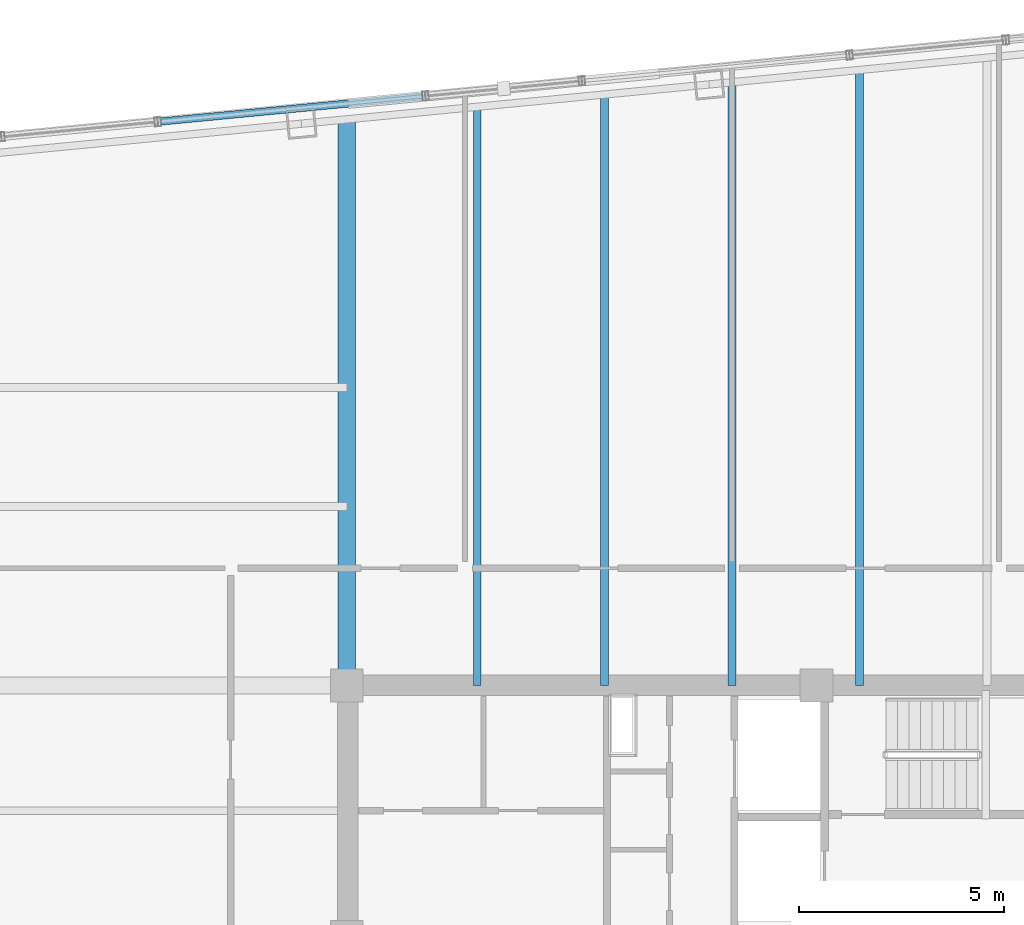
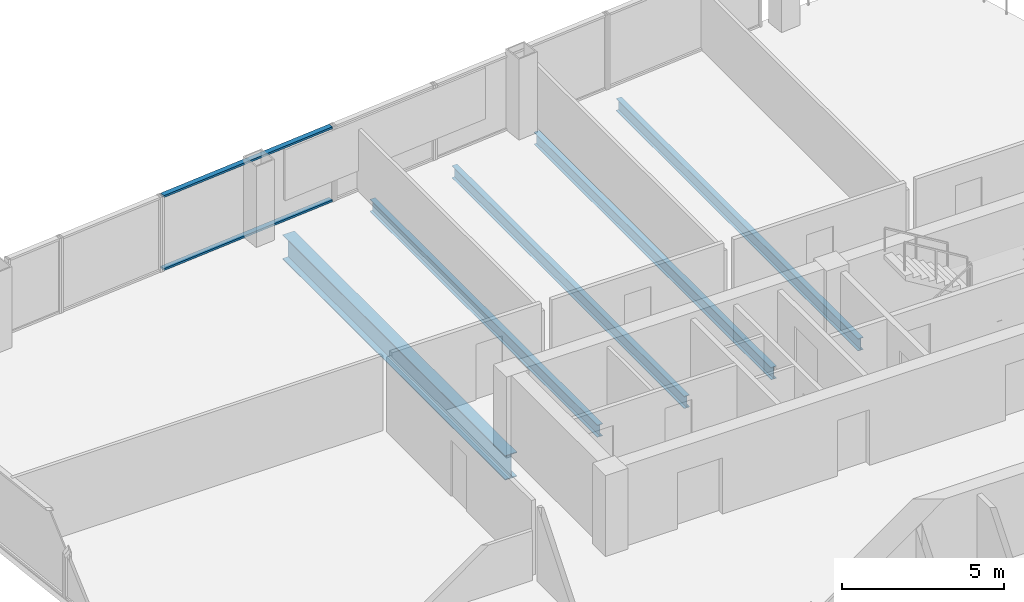
# One storey, part 13 of 22: 5 beams, 2 members, 1 element without a shape of its own.
"""IFC4 building model written with IfcOpenShell, lengths in metres."""

from ifc_helpers import new_model, si_unit, direction, frame, origin, origin_2d, place, context, subcontext, project, spatial, hollow_rectangle, i_section, extrude, material, layer, layer_set, material_profile, profile_set, type_object, element, aggregate, save


model = new_model("IFC4")

# Units and contexts
model_context = context("Model", 3, precision=1e-05, world=origin(), true_north=direction((0.0, 1.0)))
body_context = subcontext(model_context, "Body", "Model", "MODEL_VIEW")
ifc_project = project(units=[si_unit("LENGTHUNIT", "METRE"), si_unit("AREAUNIT", "SQUARE_METRE"), si_unit("VOLUMEUNIT", "CUBIC_METRE"), si_unit("PLANEANGLEUNIT", "RADIAN"), si_unit("MASSUNIT", "GRAM", prefix="KILO")], contexts=[model_context])

# Site, building, storey
site_placement = place(None, origin())
site = spatial("IfcSite", under=ifc_project, at=site_placement, CompositionType="ELEMENT")
building_placement = place(site_placement, origin())
building = spatial("IfcBuilding", under=site, at=building_placement, Name="Qhalaya Broadcast Tower", CompositionType="ELEMENT")
storey_placement = place(building_placement, frame((0.0, 0.0, 174.449951171875)))
storey = spatial("IfcBuildingStorey", under=building, at=storey_placement, Name="L51", CompositionType="ELEMENT", Elevation=174.449951171875)

# Beams
ifc_material_1 = material(Name="Structural Steel ASTM A992 Grade 50", Category="steel")
ifc_material_profile_1 = material_profile(ifc_material_1, i_section(OverallWidth=0.19189453125, OverallDepth=0.462890625, WebThickness=0.010498046875, FlangeThickness=0.017578125, at=origin_2d()), Name="W18X60")
ifc_profile_set_1 = profile_set([ifc_material_profile_1], Name="Structural Steel ASTM A992 Grade 50")
beam_type_1 = type_object("IfcBeamType", Name="Composite Floor Joist J03", PredefinedType="JOIST", material=ifc_profile_set_1)
beam_1_placement = place(storey_placement, frame((-6.199951171875, 9.949951171875, -0.451416015625), z_axis=(0.0, 1.0, 0.0), x_axis=(-1.0, 0.0, 0.0)))
element("IfcBeam", 1, at=beam_1_placement, inside=storey, type_object=beam_type_1, Name="L51 J03 L51-JNN1-1", PredefinedType="JOIST", context=body_context, shape_type="SweptSolid", body=[
    extrude(i_section(OverallWidth=0.19189453125, OverallDepth=0.462890625, WebThickness=0.010498046875, FlangeThickness=0.017578125, at=origin_2d()), origin(), (0.0, 0.0, 1.0), 14.059326171875),
])
beam_2_placement = place(storey_placement, frame((-3.10009765625, 9.949951171875, -0.451416015625), z_axis=(0.0, 1.0, 0.0), x_axis=(-1.0, 0.0, 0.0)))
element("IfcBeam", 2, at=beam_2_placement, inside=storey, type_object=beam_type_1, Name="L51 J03 L51-JNN2-1", PredefinedType="JOIST", context=body_context, shape_type="SweptSolid", body=[
    extrude(i_section(OverallWidth=0.19189453125, OverallDepth=0.462890625, WebThickness=0.010498046875, FlangeThickness=0.017578125, at=origin_2d()), origin(), (0.0, 0.0, 1.0), 14.35791015625),
])
beam_3_placement = place(storey_placement, frame((0.0, 9.949951171875, -0.451416015625), z_axis=(0.0, 1.0, 0.0), x_axis=(-1.0, 0.0, 0.0)))
element("IfcBeam", 3, at=beam_3_placement, inside=storey, type_object=beam_type_1, Name="L51 J03 L51-JNN3-1", PredefinedType="JOIST", context=body_context, shape_type="SweptSolid", body=[
    extrude(i_section(OverallWidth=0.19189453125, OverallDepth=0.462890625, WebThickness=0.010498046875, FlangeThickness=0.017578125, at=origin_2d()), origin(), (0.0, 0.0, 1.0), 14.65625),
])
beam_4_placement = place(storey_placement, frame((3.10009765625, 9.949951171875, -0.451416015625), z_axis=(0.0, 1.0, 0.0), x_axis=(-1.0, 0.0, 0.0)))
element("IfcBeam", 4, at=beam_4_placement, inside=storey, type_object=beam_type_1, Name="L51 J03 L51-JNN4-1", PredefinedType="JOIST", context=body_context, shape_type="SweptSolid", body=[
    extrude(i_section(OverallWidth=0.19189453125, OverallDepth=0.462890625, WebThickness=0.010498046875, FlangeThickness=0.017578125, at=origin_2d()), origin(), (0.0, 0.0, 1.0), 14.954833984375),
])
ifc_material_profile_2 = material_profile(ifc_material_1, i_section(OverallWidth=0.4189453125, OverallDepth=0.927001953125, WebThickness=0.019287109375, FlangeThickness=0.031982421875, at=origin_2d()), Name="W36X231")
ifc_profile_set_2 = profile_set([ifc_material_profile_2], Name="Structural Steel ASTM A992 Grade 50")
beam_type_2 = type_object("IfcBeamType", Name="Mid Block Primary Girder PG3", PredefinedType="USERDEFINED", material=ifc_profile_set_2)
beam_5_placement = place(storey_placement, frame((-9.375, 9.949951171875, -0.683349609375), z_axis=(0.0, 1.0, 0.0), x_axis=(-1.0, 0.0, 0.0)))
element("IfcBeam", 5, at=beam_5_placement, inside=storey, type_object=beam_type_2, Name="L51 PG3 L51-PGXN1-1", ObjectType="GIRDER", PredefinedType="USERDEFINED", context=body_context, shape_type="SweptSolid", body=[
    extrude(i_section(OverallWidth=0.4189453125, OverallDepth=0.927001953125, WebThickness=0.019287109375, FlangeThickness=0.031982421875, at=origin_2d()), origin(), (0.0, 0.0, 1.0), 13.753662109375),
])

# Curtain wall, members
ifc_material_2 = material(Name="Fired Architectural Terracotta", Category="masonry")
ifc_layer = layer(ifc_material_2, 0.219970703125, Name="Fired Architectural Terracotta")
ifc_layer_set = layer_set([ifc_layer], Name="Fired Architectural Terracotta")
curtain_wall_type = type_object("IfcCurtainWallType", Name="Block-Cap Unitised Terracotta Spandrel Wall CW-07", PredefinedType="NOTDEFINED", material=ifc_layer_set)
curtain_wall_placement = place(storey_placement, origin())
curtain_wall = element("IfcCurtainWall", 6, at=curtain_wall_placement, inside=storey, type_object=curtain_wall_type, Name="L51 Unitised Curtain Wall L51-CW-N5", PredefinedType="NOTDEFINED")
ifc_material_3 = material(Name="Anodised Aluminium 6063-T6", Category="aluminium")
ifc_material_profile_3 = material_profile(ifc_material_3, hollow_rectangle(XDim=0.074951171875, YDim=0.179931640625, WallThickness=0.00390625, at=origin_2d()), Name="ALU-TRN 75x180x4")
ifc_profile_set_3 = profile_set([ifc_material_profile_3], Name="Anodised Aluminium 6063-T6")
member_type = type_object("IfcMemberType", Name="Unitised Curtain-Wall Transom T01", PredefinedType="USERDEFINED", material=ifc_profile_set_3)
member_1_placement = place(storey_placement, frame((-7.532470703125, 24.28271484375, 0.03759765625), z_axis=(-0.995398180849, -0.095825161429, 0.0), x_axis=(0.0, 0.0, 1.0)))
member_1 = element("IfcMember", 7, at=member_1_placement, type_object=member_type, Name="CW-07 transom 1.1", ObjectType="TRANSOM", PredefinedType="USERDEFINED", context=body_context, shape_type="SweptSolid", body=[
    extrude(hollow_rectangle(XDim=0.074951171875, YDim=0.179931640625, WallThickness=0.00390625, at=origin_2d()), origin(), (0.0, 0.0, 1.0), 6.39501953125),
])
member_2_placement = place(storey_placement, frame((-7.532470703125, 24.28271484375, 2.79248046875), z_axis=(-0.995398180849, -0.095825161429, 0.0), x_axis=(0.0, 0.0, 1.0)))
member_2 = element("IfcMember", 8, at=member_2_placement, type_object=member_type, Name="CW-07 transom 1.2", ObjectType="TRANSOM", PredefinedType="USERDEFINED", context=body_context, shape_type="SweptSolid", body=[
    extrude(hollow_rectangle(XDim=0.074951171875, YDim=0.179931640625, WallThickness=0.00390625, at=origin_2d()), origin(), (0.0, 0.0, 1.0), 6.39501953125),
])
aggregate(curtain_wall, [member_1, member_2])

save(model, "model.ifc")
